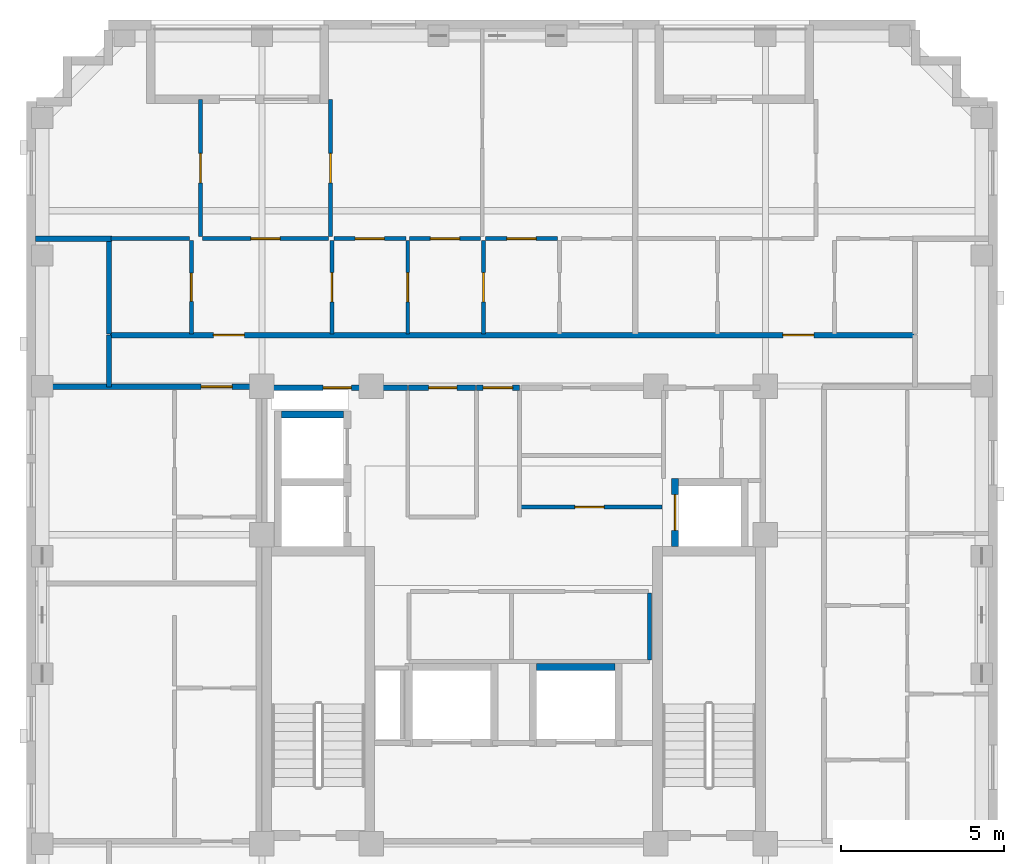
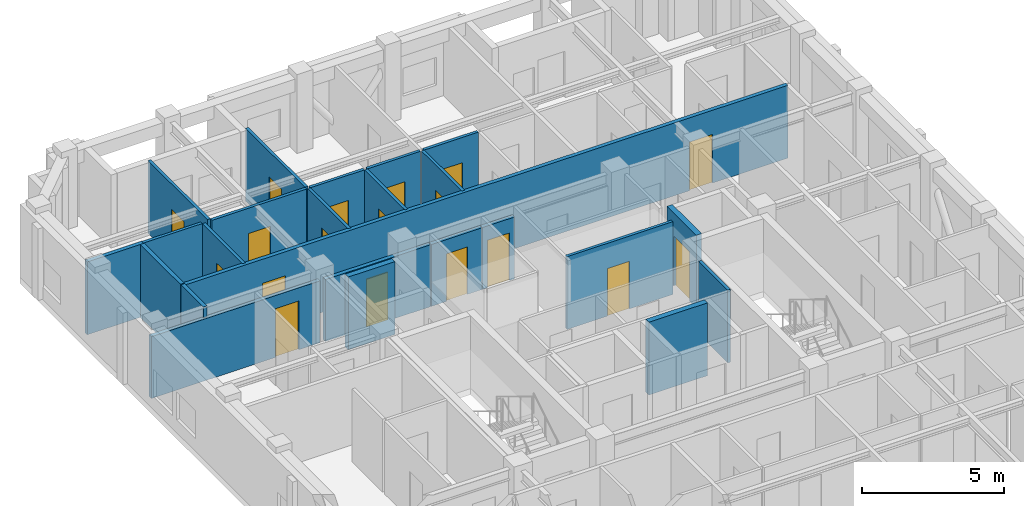
# One storey, part 5 of 11: 24 walls, 18 doors, 18 openings.
"""IFC4 building model written with IfcOpenShell, lengths in metres."""

import ifcopenshell
import ifcopenshell.guid

model = None  # the IFC model being written
_history = None  # IfcOwnerHistory: only IFC2X3 demands one
_inside = {}  # id of a spatial element -> (the spatial element, [elements in it])
_under = {}  # id of a project, library or spatial element -> (it, [spatial elements below it])
_declared = {}  # id of a project -> (the project, [libraries it declares])
_typed = {}  # id of a type object -> (the type object, [elements of that type])
_made_of = {}  # id of a material, layer set ... -> (it, [elements and type objects made of it])


def new_model(schema):
    """Start an empty IFC model of exactly this schema.

    Asked for "IFC4X3", IfcOpenShell would pick the latest addendum, in which some entities
    have other attributes; the version numbers below select the first issue.
    IFC2X3 requires an IfcOwnerHistory on every rooted entity: one is made here for all.
    """
    global model, _history
    if schema == "IFC4X3":
        model = ifcopenshell.file(schema_version=(4, 3, 0, 0))
    else:
        model = ifcopenshell.file(schema=schema)
    _inside.clear()
    _under.clear()
    _declared.clear()
    _typed.clear()
    _made_of.clear()
    _history = None
    if model.schema == "IFC2X3":
        org = make("IfcOrganization", Name="unknown")
        user = make(
            "IfcPersonAndOrganization",
            ThePerson=make("IfcPerson", FamilyName="unknown"),
            TheOrganization=org,
        )
        app = make(
            "IfcApplication",
            ApplicationDeveloper=org,
            Version="unknown",
            ApplicationFullName="unknown",
            ApplicationIdentifier="unknown",
        )
        _history = make(
            "IfcOwnerHistory",
            OwningUser=user,
            OwningApplication=app,
            ChangeAction="ADDED",
            CreationDate=0,
        )
    return model


def make(cls, **values):
    """One entity of the class cls with the attributes given. An attribute that is None is left unset."""
    return model.create_entity(
        cls, **{name: value for name, value in values.items() if value is not None}
    )


def rooted(cls, **values):
    """An entity with a GlobalId (a new one), such as an element, a storey or a relation."""
    return make(cls, GlobalId=ifcopenshell.guid.new(), OwnerHistory=_history, **values)


def si_unit(unit_type, name, prefix=None):
    """IfcSIUnit, for example si_unit("LENGTHUNIT", "METRE", prefix="MILLI")."""
    return make("IfcSIUnit", UnitType=unit_type, Prefix=prefix, Name=name)


def derived_unit(unit_type, elements):
    """IfcDerivedUnit: a product of units, each with its exponent."""
    return make(
        "IfcDerivedUnit",
        Elements=[
            make("IfcDerivedUnitElement", Unit=unit, Exponent=power)
            for unit, power in elements
        ],
        UnitType=unit_type,
    )


def assignment(units):
    """IfcUnitAssignment: the units of a project."""
    return None if units is None else make("IfcUnitAssignment", Units=units)


def point(xyz):
    """IfcCartesianPoint."""
    return None if xyz is None else make("IfcCartesianPoint", Coordinates=xyz)


def direction(xyz):
    """IfcDirection."""
    return None if xyz is None else make("IfcDirection", DirectionRatios=xyz)


def frame(location, z_axis=None, x_axis=None):
    """IfcAxis2Placement3D, a coordinate frame: its origin and axes. An axis left out is left unset."""
    return make(
        "IfcAxis2Placement3D",
        Location=point(location),
        Axis=direction(z_axis),
        RefDirection=direction(x_axis),
    )


def frame_2d(location, x_axis=None):
    """IfcAxis2Placement2D, a coordinate frame in the plane: its origin and x axis."""
    return make(
        "IfcAxis2Placement2D", Location=point(location), RefDirection=direction(x_axis)
    )


def origin():
    """The frame at (0, 0, 0) with its axes left unset."""
    return frame((0.0, 0.0, 0.0))


def place(relative_to, where):
    """IfcLocalPlacement: puts the frame where relative to a parent placement (None: the world)."""
    return make(
        "IfcLocalPlacement", PlacementRelTo=relative_to, RelativePlacement=where
    )


def context(
    kind, dimensions, precision=None, world=None, true_north=None, identifier=None
):
    """IfcGeometricRepresentationContext, for example the 3D "Model" context."""
    return make(
        "IfcGeometricRepresentationContext",
        ContextIdentifier=identifier,
        ContextType=kind,
        CoordinateSpaceDimension=dimensions,
        Precision=precision,
        WorldCoordinateSystem=world,
        TrueNorth=true_north,
    )


def subcontext(parent, identifier, kind, view, scale=None):
    """IfcGeometricRepresentationSubContext, for example "Body" below "Model"."""
    return make(
        "IfcGeometricRepresentationSubContext",
        ContextIdentifier=identifier,
        ContextType=kind,
        ParentContext=parent,
        TargetScale=scale,
        TargetView=view,
    )


def project(units=None, contexts=None):
    """IfcProject with its units and contexts."""
    return rooted(
        "IfcProject",
        Name="project",
        RepresentationContexts=contexts,
        UnitsInContext=assignment(units),
    )


def spatial(cls, under=None, at=None, **own):
    """A site, building, storey or space (cls), placed at a placement, below another one or the project."""
    s = rooted(cls, ObjectPlacement=at, **own)
    if under is not None:
        _under.setdefault(under.id(), (under, []))[1].append(s)
    return s


def profile(cls, at=None, kind="AREA", **sizes):
    """A parametric profile (cls). Its sizes go by their IFC names, for example OverallWidth=200.0."""
    return make(cls, ProfileType=kind, Position=at, **sizes)


def rectangle(**sizes):
    """IfcRectangleProfileDef."""
    return profile("IfcRectangleProfileDef", **sizes)


def extrude(swept, where, along, depth):
    """IfcExtrudedAreaSolid: the profile swept, set in the frame where, extruded along a direction by depth."""
    return make(
        "IfcExtrudedAreaSolid",
        SweptArea=swept,
        Position=where,
        ExtrudedDirection=direction(along),
        Depth=depth,
    )


def shape(context_of_items, identifier, shape_type, items):
    """IfcShapeRepresentation: the items that make up one representation, for example the "Body"."""
    return make(
        "IfcShapeRepresentation",
        ContextOfItems=context_of_items,
        RepresentationIdentifier=identifier,
        RepresentationType=shape_type,
        Items=items,
    )


def material(Name=None, Category=None):
    """IfcMaterial."""
    return make("IfcMaterial", Name=Name, Category=Category)


def layer(
    of_material, thickness, ventilated=None, Name=None, Category=None, Priority=None
):
    """IfcMaterialLayer: one layer of a wall or slab, of a material (None: an air gap)."""
    return make(
        "IfcMaterialLayer",
        Material=of_material,
        LayerThickness=thickness,
        IsVentilated=ventilated,
        Name=Name,
        Category=Category,
        Priority=Priority,
    )


def layer_set(layers, Name=None):
    """IfcMaterialLayerSet."""
    return make("IfcMaterialLayerSet", MaterialLayers=layers, LayerSetName=Name)


def made_of(thing, what):
    """Note that an element or type object is made of a material, layer set ...; save() writes the relation."""
    if what is not None:
        _made_of.setdefault(what.id(), (what, []))[1].append(thing)
    return thing


def type_object(cls, material=None, **own):
    """A type object (cls), such as IfcWallType, which elements share."""
    return made_of(rooted(cls, **own), material)


def element(
    cls,
    number,
    at=None,
    inside=None,
    cuts=None,
    type_object=None,
    material=None,
    context=None,
    identifier="Body",
    shape_type=None,
    held_by="IfcProductDefinitionShape",
    body=None,
    shapes=None,
    **own,
):
    """One element of the class cls, such as IfcWall. Its Tag is "e" and its number.

    at: its placement. inside: the storey or other place that contains it. cuts: it is an
    opening in that element (IfcRelVoidsElement). A single representation is given by context,
    identifier, shape_type and body (its items); several are given by shapes. held_by: the class
    of the entity that holds the representations. save() writes the other relations.
    """
    e = rooted(cls, Tag="e%d" % number, ObjectPlacement=at, **own)
    if body is not None:
        shapes = [shape(context, identifier, shape_type, body)]
    if shapes is not None:
        e.Representation = make(held_by, Representations=shapes)
    if inside is not None:
        _inside.setdefault(inside.id(), (inside, []))[1].append(e)
    if cuts is not None:
        rooted(
            "IfcRelVoidsElement", RelatingBuildingElement=cuts, RelatedOpeningElement=e
        )
    if type_object is not None:
        _typed.setdefault(type_object.id(), (type_object, []))[1].append(e)
    return made_of(e, material)


def fill(opening, filler):
    """IfcRelFillsElement: the door or window that sits in an opening."""
    return rooted(
        "IfcRelFillsElement",
        RelatingOpeningElement=opening,
        RelatedBuildingElement=filler,
    )


def aggregate(whole, parts):
    """IfcRelAggregates: a whole, such as a stair, and the parts it consists of."""
    return rooted("IfcRelAggregates", RelatingObject=whole, RelatedObjects=parts)


def save(model, path):
    """Write the relations noted so far, then the file.

    IfcRelAggregates (storeys below a building ...), IfcRelContainedInSpatialStructure (elements
    in a storey), IfcRelDefinesByType, IfcRelAssociatesMaterial and IfcRelDeclares: one each for
    every whole, place, type object, material and project.
    """
    for whole, parts in _under.values():
        aggregate(whole, parts)
    for where, things in _inside.values():
        rooted(
            "IfcRelContainedInSpatialStructure",
            RelatedElements=things,
            RelatingStructure=where,
        )
    for kind, things in _typed.values():
        rooted("IfcRelDefinesByType", RelatedObjects=things, RelatingType=kind)
    for what, things in _made_of.values():
        rooted("IfcRelAssociatesMaterial", RelatedObjects=things, RelatingMaterial=what)
    for by, libraries in _declared.values():
        rooted("IfcRelDeclares", RelatingContext=by, RelatedDefinitions=libraries)
    model.write(path)


model = new_model("IFC4")

# Units and contexts
model_context = context("Model", 3, precision=1e-05, world=origin(), true_north=direction((0.0, 1.0)))
body_context = subcontext(model_context, "Body", "Model", "MODEL_VIEW")
ifc_project = project(units=[si_unit("LENGTHUNIT", "METRE"), si_unit("AREAUNIT", "SQUARE_METRE"), si_unit("VOLUMEUNIT", "CUBIC_METRE"), si_unit("PLANEANGLEUNIT", "RADIAN"), si_unit("MASSUNIT", "GRAM", prefix="KILO"), derived_unit("THERMALTRANSMITTANCEUNIT", [(si_unit("MASSUNIT", "GRAM", prefix="KILO"), 1), (si_unit("TIMEUNIT", "SECOND"), -3), (si_unit("THERMODYNAMICTEMPERATUREUNIT", "KELVIN"), -1)])], contexts=[model_context])

# Site, building, storey
site_placement = place(None, origin())
site = spatial("IfcSite", under=ifc_project, at=site_placement, CompositionType="ELEMENT")
building_placement = place(site_placement, origin())
building = spatial("IfcBuilding", under=site, at=building_placement, Name="Korrvale Station Residences", CompositionType="ELEMENT")
storey_placement = place(building_placement, frame((0.0, 0.0, 251.300048828125)))
storey = spatial("IfcBuildingStorey", under=building, at=storey_placement, Name="L73", CompositionType="ELEMENT", Elevation=251.300048828125)

# Wall, opening, door
ifc_material_1 = material(Name="Acoustic steel-stud gypsum board partition", Category="steel")
ifc_layer_1 = layer(ifc_material_1, 0.1201171875, Name="Acoustic steel-stud gypsum board partition")
ifc_layer_set_1 = layer_set([ifc_layer_1], Name="Acoustic steel-stud gypsum board partition")
wall_type_1 = type_object("IfcWallType", Name="WAL-PART-125", PredefinedType="PARTITIONING", material=ifc_layer_set_1)
wall_1_placement = place(storey_placement, frame((25.719970703125, 25.300048828125, 0.0), z_axis=(0.0, 0.0, 1.0), x_axis=(1.0, 0.0, 0.0)))
wall_1 = element("IfcWall", 1, at=wall_1_placement, inside=storey, type_object=wall_type_1, Name="L73 Core Partition CW-FPLE-S", PredefinedType="PARTITIONING", context=body_context, shape_type="SweptSolid", body=[
    extrude(rectangle(XDim=4.320068359375, YDim=0.1201171875, at=frame_2d((2.16015625, 0.0))), origin(), (0.0, 0.0, 1.0), 3.139892578125),
])
opening_1_placement = place(wall_1_placement, frame((1.64990234375, 0.0, 0.0)))
opening_1 = element("IfcOpeningElement", 2, at=opening_1_placement, cuts=wall_1, Name="Opening DI-900", PredefinedType="OPENING", context=body_context, shape_type="SweptSolid", body=[
    extrude(rectangle(XDim=0.89990234375, YDim=2.050048828125, at=frame_2d((0.449951171875, 1.02490234375))), frame((0.0, 0.070068359375, 0.0), z_axis=(0.0, -1.0, 0.0), x_axis=(1.0, 0.0, 0.0)), (0.0, 0.0, 1.0), 0.14013671875),
])
ifc_material_2 = material(Name="Painted solid-core timber interior room door", Category="wood")
door_type_1 = type_object("IfcDoorType", Name="DR-INT-900", OperationType="NOTDEFINED", PredefinedType="DOOR", material=ifc_material_2)
door_1_placement = place(opening_1_placement, origin())
door_1 = element("IfcDoor", 3, at=door_1_placement, inside=storey, type_object=door_type_1, Name="L73 Housekeeping Linen Door", OperationType="SINGLE_SWING_LEFT", OverallHeight=2.050048828125, OverallWidth=0.89990234375, PredefinedType="DOOR", context=body_context, shape_type="SweptSolid", body=[
    extrude(rectangle(XDim=0.89990234375, YDim=2.050048828125, at=frame_2d((0.449951171875, 1.02490234375))), frame((0.0, 0.02490234375, 0.0), z_axis=(0.0, -1.0, 0.0), x_axis=(1.0, 0.0, 0.0)), (0.0, 0.0, 1.0), 0.050048828125),
])
fill(opening_1, door_1)

# Wall
wall_2_placement = place(storey_placement, frame((29.659912109375, 20.6201171875, 0.0), z_axis=(0.0, 0.0, 1.0), x_axis=(0.0, 1.0, 0.0)))
element("IfcWall", 4, at=wall_2_placement, inside=storey, type_object=wall_type_1, Name="L73 Core Partition CW-FPM-E", PredefinedType="PARTITIONING", context=body_context, shape_type="SweptSolid", body=[
    extrude(rectangle(XDim=2.059814453125, YDim=0.1201171875, at=frame_2d((1.02978515625, 0.0))), origin(), (0.0, 0.0, 1.0), 3.139892578125),
])

# Wall, opening, door
wall_3_placement = place(storey_placement, frame((15.639892578125, 30.60009765625, 0.0), z_axis=(0.0, 0.0, 1.0), x_axis=(0.0, 1.0, 0.0)))
wall_3 = element("IfcWall", 5, at=wall_3_placement, inside=storey, type_object=wall_type_1, Name="L73 Suite Partition U04-V01", PredefinedType="PARTITIONING", context=body_context, shape_type="SweptSolid", body=[
    extrude(rectangle(XDim=2.849853515625, YDim=0.1201171875, at=frame_2d((1.4248046875, 0.0))), origin(), (0.0, 0.0, 1.0), 3.139892578125),
])
opening_2_placement = place(wall_3_placement, frame((0.9951171875, 0.0, 0.0)))
opening_2 = element("IfcOpeningElement", 6, at=opening_2_placement, cuts=wall_3, Name="Opening DB-860", PredefinedType="OPENING", context=body_context, shape_type="SweptSolid", body=[
    extrude(rectangle(XDim=0.860107421875, YDim=2.050048828125, at=frame_2d((0.43017578125, 1.02490234375))), frame((0.0, 0.070068359375, 0.0), z_axis=(0.0, -1.0, 0.0), x_axis=(1.0, 0.0, 0.0)), (0.0, 0.0, 1.0), 0.14013671875),
])
ifc_material_3 = material(Name="Moisture-resistant solid-core bathroom door", Category="timber")
door_type_2 = type_object("IfcDoorType", Name="DR-BATH-860", OperationType="NOTDEFINED", PredefinedType="DOOR", material=ifc_material_3)
door_2_placement = place(opening_2_placement, origin())
door_2 = element("IfcDoor", 7, at=door_2_placement, inside=storey, type_object=door_type_2, Name="L73 Apartment 2BR L73-U04 Bathroom Door", OperationType="SINGLE_SWING_RIGHT", OverallHeight=2.050048828125, OverallWidth=0.860107421875, PredefinedType="DOOR", context=body_context, shape_type="SweptSolid", body=[
    extrude(rectangle(XDim=0.860107421875, YDim=2.050048828125, at=frame_2d((0.43017578125, 1.02490234375))), frame((0.0, 0.02490234375, 0.0), z_axis=(0.0, -1.0, 0.0), x_axis=(1.0, 0.0, 0.0)), (0.0, 0.0, 1.0), 0.050048828125),
])
fill(opening_2, door_2)

# Wall
wall_4_placement = place(storey_placement, frame((13.179931640625, 33.510009765625, 0.0), z_axis=(0.0, 0.0, 1.0), x_axis=(1.0, 0.0, 0.0)))
element("IfcWall", 8, at=wall_4_placement, inside=storey, type_object=wall_type_1, Name="L73 Suite Partition U04-H06", PredefinedType="PARTITIONING", context=body_context, shape_type="SweptSolid", body=[
    extrude(rectangle(XDim=2.400146484375, YDim=0.1201171875, at=frame_2d((1.2001953125, 0.0))), origin(), (0.0, 0.0, 1.0), 3.139892578125),
])

# Wall, opening, door
wall_5_placement = place(storey_placement, frame((19.93994140625, 30.60009765625, 0.0), z_axis=(0.0, 0.0, 1.0), x_axis=(0.0, 1.0, 0.0)))
wall_5 = element("IfcWall", 9, at=wall_5_placement, inside=storey, type_object=wall_type_1, Name="L73 Suite Partition U04-V12", PredefinedType="PARTITIONING", context=body_context, shape_type="SweptSolid", body=[
    extrude(rectangle(XDim=2.849853515625, YDim=0.1201171875, at=frame_2d((1.4248046875, 0.0))), origin(), (0.0, 0.0, 1.0), 3.139892578125),
])
opening_3_placement = place(wall_5_placement, frame((0.97509765625, 0.0, 0.0)))
opening_3 = element("IfcOpeningElement", 10, at=opening_3_placement, cuts=wall_5, Name="Opening DI-900", PredefinedType="OPENING", context=body_context, shape_type="SweptSolid", body=[
    extrude(rectangle(XDim=0.89990234375, YDim=2.050048828125, at=frame_2d((0.449951171875, 1.02490234375))), frame((0.0, 0.070068359375, 0.0), z_axis=(0.0, -1.0, 0.0), x_axis=(1.0, 0.0, 0.0)), (0.0, 0.0, 1.0), 0.14013671875),
])
door_3_placement = place(opening_3_placement, origin())
door_3 = element("IfcDoor", 11, at=door_3_placement, inside=storey, type_object=door_type_1, Name="L73 Apartment 2BR L73-U04 Kitchen Door", OperationType="SINGLE_SWING_LEFT", OverallHeight=2.050048828125, OverallWidth=0.89990234375, PredefinedType="DOOR", context=body_context, shape_type="SweptSolid", body=[
    extrude(rectangle(XDim=0.89990234375, YDim=2.050048828125, at=frame_2d((0.449951171875, 1.02490234375))), frame((0.0, 0.02490234375, 0.0), z_axis=(0.0, -1.0, 0.0), x_axis=(1.0, 0.0, 0.0)), (0.0, 0.0, 1.0), 0.050048828125),
])
fill(opening_3, door_3)

wall_6_placement = place(storey_placement, frame((15.97802734375, 33.510009765625, 0.0), z_axis=(0.0, 0.0, 1.0), x_axis=(1.0, 0.0, 0.0)))
wall_6 = element("IfcWall", 12, at=wall_6_placement, inside=storey, type_object=wall_type_1, Name="L73 Suite Partition U04-H17", PredefinedType="PARTITIONING", context=body_context, shape_type="SweptSolid", body=[
    extrude(rectangle(XDim=3.862060546875, YDim=0.1201171875, at=frame_2d((1.93115234375, 0.0))), origin(), (0.0, 0.0, 1.0), 3.139892578125),
])
opening_4_placement = place(wall_6_placement, frame((1.48095703125, 0.0, 0.0)))
opening_4 = element("IfcOpeningElement", 13, at=opening_4_placement, cuts=wall_6, Name="Opening DI-900", PredefinedType="OPENING", context=body_context, shape_type="SweptSolid", body=[
    extrude(rectangle(XDim=0.89990234375, YDim=2.050048828125, at=frame_2d((0.449951171875, 1.02490234375))), frame((0.0, 0.070068359375, 0.0), z_axis=(0.0, -1.0, 0.0), x_axis=(1.0, 0.0, 0.0)), (0.0, 0.0, 1.0), 0.14013671875),
])
door_4_placement = place(opening_4_placement, origin())
door_4 = element("IfcDoor", 14, at=door_4_placement, inside=storey, type_object=door_type_1, Name="L73 Apartment 2BR L73-U04 Kitchen Door", OperationType="SINGLE_SWING_RIGHT", OverallHeight=2.050048828125, OverallWidth=0.89990234375, PredefinedType="DOOR", context=body_context, shape_type="SweptSolid", body=[
    extrude(rectangle(XDim=0.89990234375, YDim=2.050048828125, at=frame_2d((0.449951171875, 1.02490234375))), frame((0.0, 0.02490234375, 0.0), z_axis=(0.0, -1.0, 0.0), x_axis=(1.0, 0.0, 0.0)), (0.0, 0.0, 1.0), 0.050048828125),
])
fill(opening_4, door_4)

wall_7_placement = place(storey_placement, frame((22.260009765625, 30.60009765625, 0.0), z_axis=(0.0, 0.0, 1.0), x_axis=(0.0, 1.0, 0.0)))
wall_7 = element("IfcWall", 15, at=wall_7_placement, inside=storey, type_object=wall_type_1, Name="L73 Suite Partition U04-V23", PredefinedType="PARTITIONING", context=body_context, shape_type="SweptSolid", body=[
    extrude(rectangle(XDim=2.849853515625, YDim=0.1201171875, at=frame_2d((1.4248046875, 0.0))), origin(), (0.0, 0.0, 1.0), 3.139892578125),
])
opening_5_placement = place(wall_7_placement, frame((0.97509765625, 0.0, 0.0)))
opening_5 = element("IfcOpeningElement", 16, at=opening_5_placement, cuts=wall_7, Name="Opening DI-900", PredefinedType="OPENING", context=body_context, shape_type="SweptSolid", body=[
    extrude(rectangle(XDim=0.89990234375, YDim=2.050048828125, at=frame_2d((0.449951171875, 1.02490234375))), frame((0.0, 0.070068359375, 0.0), z_axis=(0.0, -1.0, 0.0), x_axis=(1.0, 0.0, 0.0)), (0.0, 0.0, 1.0), 0.14013671875),
])
door_5_placement = place(opening_5_placement, origin())
door_5 = element("IfcDoor", 17, at=door_5_placement, inside=storey, type_object=door_type_1, Name="L73 Apartment 2BR L73-U04 Wardrobe Storage Room Door", OperationType="SINGLE_SWING_LEFT", OverallHeight=2.050048828125, OverallWidth=0.89990234375, PredefinedType="DOOR", context=body_context, shape_type="SweptSolid", body=[
    extrude(rectangle(XDim=0.89990234375, YDim=2.050048828125, at=frame_2d((0.449951171875, 1.02490234375))), frame((0.0, 0.02490234375, 0.0), z_axis=(0.0, -1.0, 0.0), x_axis=(1.0, 0.0, 0.0)), (0.0, 0.0, 1.0), 0.050048828125),
])
fill(opening_5, door_5)

wall_8_placement = place(storey_placement, frame((20.0, 33.510009765625, 0.0), z_axis=(0.0, 0.0, 1.0), x_axis=(1.0, 0.0, 0.0)))
wall_8 = element("IfcWall", 18, at=wall_8_placement, inside=storey, type_object=wall_type_1, Name="L73 Suite Partition U04-H28", PredefinedType="PARTITIONING", context=body_context, shape_type="SweptSolid", body=[
    extrude(rectangle(XDim=2.199951171875, YDim=0.1201171875, at=frame_2d((1.10009765625, 0.0))), origin(), (0.0, 0.0, 1.0), 3.139892578125),
])
opening_6_placement = place(wall_8_placement, frame((0.64990234375, 0.0, 0.0)))
opening_6 = element("IfcOpeningElement", 19, at=opening_6_placement, cuts=wall_8, Name="Opening DI-900", PredefinedType="OPENING", context=body_context, shape_type="SweptSolid", body=[
    extrude(rectangle(XDim=0.89990234375, YDim=2.050048828125, at=frame_2d((0.449951171875, 1.02490234375))), frame((0.0, 0.070068359375, 0.0), z_axis=(0.0, -1.0, 0.0), x_axis=(1.0, 0.0, 0.0)), (0.0, 0.0, 1.0), 0.14013671875),
])
door_6_placement = place(opening_6_placement, origin())
door_6 = element("IfcDoor", 20, at=door_6_placement, inside=storey, type_object=door_type_1, Name="L73 Apartment 2BR L73-U04 Wardrobe Storage Room Door", OperationType="SINGLE_SWING_RIGHT", OverallHeight=2.050048828125, OverallWidth=0.89990234375, PredefinedType="DOOR", context=body_context, shape_type="SweptSolid", body=[
    extrude(rectangle(XDim=0.89990234375, YDim=2.050048828125, at=frame_2d((0.449951171875, 1.02490234375))), frame((0.0, 0.02490234375, 0.0), z_axis=(0.0, -1.0, 0.0), x_axis=(1.0, 0.0, 0.0)), (0.0, 0.0, 1.0), 0.050048828125),
])
fill(opening_6, door_6)

wall_9_placement = place(storey_placement, frame((24.580078125, 30.60009765625, 0.0), z_axis=(0.0, 0.0, 1.0), x_axis=(0.0, 1.0, 0.0)))
wall_9 = element("IfcWall", 21, at=wall_9_placement, inside=storey, type_object=wall_type_1, Name="L73 Suite Partition U04-V34", PredefinedType="PARTITIONING", context=body_context, shape_type="SweptSolid", body=[
    extrude(rectangle(XDim=2.849853515625, YDim=0.1201171875, at=frame_2d((1.4248046875, 0.0))), origin(), (0.0, 0.0, 1.0), 3.139892578125),
])
opening_7_placement = place(wall_9_placement, frame((0.97509765625, 0.0, 0.0)))
opening_7 = element("IfcOpeningElement", 22, at=opening_7_placement, cuts=wall_9, Name="Opening DI-900", PredefinedType="OPENING", context=body_context, shape_type="SweptSolid", body=[
    extrude(rectangle(XDim=0.89990234375, YDim=2.050048828125, at=frame_2d((0.449951171875, 1.02490234375))), frame((0.0, 0.070068359375, 0.0), z_axis=(0.0, -1.0, 0.0), x_axis=(1.0, 0.0, 0.0)), (0.0, 0.0, 1.0), 0.14013671875),
])
door_7_placement = place(opening_7_placement, origin())
door_7 = element("IfcDoor", 23, at=door_7_placement, inside=storey, type_object=door_type_1, Name="L73 Apartment 2BR L73-U04 Wardrobe Storage Room Door", OperationType="SINGLE_SWING_LEFT", OverallHeight=2.050048828125, OverallWidth=0.89990234375, PredefinedType="DOOR", context=body_context, shape_type="SweptSolid", body=[
    extrude(rectangle(XDim=0.89990234375, YDim=2.050048828125, at=frame_2d((0.449951171875, 1.02490234375))), frame((0.0, 0.02490234375, 0.0), z_axis=(0.0, -1.0, 0.0), x_axis=(1.0, 0.0, 0.0)), (0.0, 0.0, 1.0), 0.050048828125),
])
fill(opening_7, door_7)

wall_10_placement = place(storey_placement, frame((22.320068359375, 33.510009765625, 0.0), z_axis=(0.0, 0.0, 1.0), x_axis=(1.0, 0.0, 0.0)))
wall_10 = element("IfcWall", 24, at=wall_10_placement, inside=storey, type_object=wall_type_1, Name="L73 Suite Partition U04-H38", PredefinedType="PARTITIONING", context=body_context, shape_type="SweptSolid", body=[
    extrude(rectangle(XDim=2.159912109375, YDim=0.1201171875, at=frame_2d((1.080078125, 0.0))), origin(), (0.0, 0.0, 1.0), 3.139892578125),
])
opening_8_placement = place(wall_10_placement, frame((0.6298828125, 0.0, 0.0)))
opening_8 = element("IfcOpeningElement", 25, at=opening_8_placement, cuts=wall_10, Name="Opening DI-900", PredefinedType="OPENING", context=body_context, shape_type="SweptSolid", body=[
    extrude(rectangle(XDim=0.89990234375, YDim=2.050048828125, at=frame_2d((0.449951171875, 1.02490234375))), frame((0.0, 0.070068359375, 0.0), z_axis=(0.0, -1.0, 0.0), x_axis=(1.0, 0.0, 0.0)), (0.0, 0.0, 1.0), 0.14013671875),
])
door_8_placement = place(opening_8_placement, origin())
door_8 = element("IfcDoor", 26, at=door_8_placement, inside=storey, type_object=door_type_1, Name="L73 Apartment 2BR L73-U04 Wardrobe Storage Room Door", OperationType="SINGLE_SWING_RIGHT", OverallHeight=2.050048828125, OverallWidth=0.89990234375, PredefinedType="DOOR", context=body_context, shape_type="SweptSolid", body=[
    extrude(rectangle(XDim=0.89990234375, YDim=2.050048828125, at=frame_2d((0.449951171875, 1.02490234375))), frame((0.0, 0.02490234375, 0.0), z_axis=(0.0, -1.0, 0.0), x_axis=(1.0, 0.0, 0.0)), (0.0, 0.0, 1.0), 0.050048828125),
])
fill(opening_8, door_8)

wall_11_placement = place(storey_placement, frame((24.639892578125, 33.510009765625, 0.0), z_axis=(0.0, 0.0, 1.0), x_axis=(1.0, 0.0, 0.0)))
wall_11 = element("IfcWall", 27, at=wall_11_placement, inside=storey, type_object=wall_type_1, Name="L73 Suite Partition U04-H49", PredefinedType="PARTITIONING", context=body_context, shape_type="SweptSolid", body=[
    extrude(rectangle(XDim=2.2001953125, YDim=0.1201171875, at=frame_2d((1.10009765625, 0.0))), origin(), (0.0, 0.0, 1.0), 3.139892578125),
])
opening_9_placement = place(wall_11_placement, frame((0.64990234375, 0.0, 0.0)))
opening_9 = element("IfcOpeningElement", 28, at=opening_9_placement, cuts=wall_11, Name="Opening DI-900", PredefinedType="OPENING", context=body_context, shape_type="SweptSolid", body=[
    extrude(rectangle(XDim=0.89990234375, YDim=2.050048828125, at=frame_2d((0.449951171875, 1.02490234375))), frame((0.0, 0.070068359375, 0.0), z_axis=(0.0, -1.0, 0.0), x_axis=(1.0, 0.0, 0.0)), (0.0, 0.0, 1.0), 0.14013671875),
])
door_9_placement = place(opening_9_placement, origin())
door_9 = element("IfcDoor", 29, at=door_9_placement, inside=storey, type_object=door_type_1, Name="L73 Apartment 2BR L73-U04 Wardrobe Storage Room Door", OperationType="SINGLE_SWING_RIGHT", OverallHeight=2.050048828125, OverallWidth=0.89990234375, PredefinedType="DOOR", context=body_context, shape_type="SweptSolid", body=[
    extrude(rectangle(XDim=0.89990234375, YDim=2.050048828125, at=frame_2d((0.449951171875, 1.02490234375))), frame((0.0, 0.02490234375, 0.0), z_axis=(0.0, -1.0, 0.0), x_axis=(1.0, 0.0, 0.0)), (0.0, 0.0, 1.0), 0.050048828125),
])
fill(opening_9, door_9)

wall_12_placement = place(storey_placement, frame((15.91796875, 33.570068359375, 0.0), z_axis=(0.0, 0.0, 1.0), x_axis=(0.0, 1.0, 0.0)))
wall_12 = element("IfcWall", 30, at=wall_12_placement, inside=storey, type_object=wall_type_1, Name="L73 Suite Partition U04-V67", PredefinedType="PARTITIONING", context=body_context, shape_type="SweptSolid", body=[
    extrude(rectangle(XDim=4.199951171875, YDim=0.1201171875, at=frame_2d((2.10009765625, 0.0))), origin(), (0.0, 0.0, 1.0), 3.139892578125),
])
opening_10_placement = place(wall_12_placement, frame((1.64990234375, 0.0, 0.0)))
opening_10 = element("IfcOpeningElement", 31, at=opening_10_placement, cuts=wall_12, Name="Opening DI-900", PredefinedType="OPENING", context=body_context, shape_type="SweptSolid", body=[
    extrude(rectangle(XDim=0.89990234375, YDim=2.050048828125, at=frame_2d((0.449951171875, 1.02490234375))), frame((0.0, 0.070068359375, 0.0), z_axis=(0.0, -1.0, 0.0), x_axis=(1.0, 0.0, 0.0)), (0.0, 0.0, 1.0), 0.14013671875),
])
door_10_placement = place(opening_10_placement, origin())
door_10 = element("IfcDoor", 32, at=door_10_placement, inside=storey, type_object=door_type_1, Name="L73 Apartment 2BR L73-U04 Living and Dining Room Door", OperationType="SINGLE_SWING_RIGHT", OverallHeight=2.050048828125, OverallWidth=0.89990234375, PredefinedType="DOOR", context=body_context, shape_type="SweptSolid", body=[
    extrude(rectangle(XDim=0.89990234375, YDim=2.050048828125, at=frame_2d((0.449951171875, 1.02490234375))), frame((0.0, 0.02490234375, 0.0), z_axis=(0.0, -1.0, 0.0), x_axis=(1.0, 0.0, 0.0)), (0.0, 0.0, 1.0), 0.050048828125),
])
fill(opening_10, door_10)

wall_13_placement = place(storey_placement, frame((19.89990234375, 33.570068359375, 0.0), z_axis=(0.0, 0.0, 1.0), x_axis=(0.0, 1.0, 0.0)))
wall_13 = element("IfcWall", 33, at=wall_13_placement, inside=storey, type_object=wall_type_1, Name="L73 Suite Partition U04-V78", PredefinedType="PARTITIONING", context=body_context, shape_type="SweptSolid", body=[
    extrude(rectangle(XDim=4.199951171875, YDim=0.1201171875, at=frame_2d((2.10009765625, 0.0))), origin(), (0.0, 0.0, 1.0), 3.139892578125),
])
opening_11_placement = place(wall_13_placement, frame((1.64990234375, 0.0, 0.0)))
opening_11 = element("IfcOpeningElement", 34, at=opening_11_placement, cuts=wall_13, Name="Opening DI-900", PredefinedType="OPENING", context=body_context, shape_type="SweptSolid", body=[
    extrude(rectangle(XDim=0.89990234375, YDim=2.050048828125, at=frame_2d((0.449951171875, 1.02490234375))), frame((0.0, 0.070068359375, 0.0), z_axis=(0.0, -1.0, 0.0), x_axis=(1.0, 0.0, 0.0)), (0.0, 0.0, 1.0), 0.14013671875),
])
door_11_placement = place(opening_11_placement, origin())
door_11 = element("IfcDoor", 35, at=door_11_placement, inside=storey, type_object=door_type_1, Name="L73 Apartment 2BR L73-U04 Formal Dining Room Door", OperationType="SINGLE_SWING_LEFT", OverallHeight=2.050048828125, OverallWidth=0.89990234375, PredefinedType="DOOR", context=body_context, shape_type="SweptSolid", body=[
    extrude(rectangle(XDim=0.89990234375, YDim=2.050048828125, at=frame_2d((0.449951171875, 1.02490234375))), frame((0.0, 0.02490234375, 0.0), z_axis=(0.0, -1.0, 0.0), x_axis=(1.0, 0.0, 0.0)), (0.0, 0.0, 1.0), 0.050048828125),
])
fill(opening_11, door_11)

ifc_material_4 = material(Name="Fire-rated twin-stud gypsum and mineral wool shaftwall assembly", Category="gypsum")
ifc_layer_2 = layer(ifc_material_4, 0.159912109375, Name="Fire-rated twin-stud gypsum and mineral wool shaftwall assembly")
ifc_layer_set_2 = layer_set([ifc_layer_2], Name="Fire-rated twin-stud gypsum and mineral wool shaftwall assembly")
wall_type_2 = type_object("IfcWallType", Name="WAL-PART-200", PredefinedType="PARTITIONING", material=ifc_layer_set_2)
wall_14_placement = place(storey_placement, frame((24.360107421875, 28.949951171875, 0.0), z_axis=(0.0, 0.0, 1.0), x_axis=(1.0, 0.0, 0.0)))
wall_14 = element("IfcWall", 36, at=wall_14_placement, inside=storey, type_object=wall_type_2, Name="L73 Core Partition CW-LLOB-N", PredefinedType="PARTITIONING", context=body_context, shape_type="SweptSolid", body=[
    extrude(rectangle(XDim=1.31982421875, YDim=0.159912109375, at=frame_2d((0.659912109375, 0.0))), origin(), (0.0, 0.0, 1.0), 2.66796875),
])
opening_12_placement = place(wall_14_placement, frame((0.2099609375, 0.0, 0.0)))
opening_12 = element("IfcOpeningElement", 37, at=opening_12_placement, cuts=wall_14, Name="Opening DI-900", PredefinedType="OPENING", context=body_context, shape_type="SweptSolid", body=[
    extrude(rectangle(XDim=0.89990234375, YDim=2.050048828125, at=frame_2d((0.449951171875, 1.02490234375))), frame((0.0, 0.08984375, 0.0), z_axis=(0.0, -1.0, 0.0), x_axis=(1.0, 0.0, 0.0)), (0.0, 0.0, 1.0), 0.179931640625),
])
door_12_placement = place(opening_12_placement, origin())
door_12 = element("IfcDoor", 38, at=door_12_placement, inside=storey, type_object=door_type_1, Name="L73 Central Hallway North Passage Door", OperationType="SINGLE_SWING_RIGHT", OverallHeight=2.050048828125, OverallWidth=0.89990234375, PredefinedType="DOOR", context=body_context, shape_type="SweptSolid", body=[
    extrude(rectangle(XDim=0.89990234375, YDim=2.050048828125, at=frame_2d((0.449951171875, 1.02490234375))), frame((0.0, 0.02490234375, 0.0), z_axis=(0.0, -1.0, 0.0), x_axis=(1.0, 0.0, 0.0)), (0.0, 0.0, 1.0), 0.050048828125),
])
fill(opening_12, door_12)

wall_15_placement = place(storey_placement, frame((17.9599609375, 28.949951171875, 0.0), z_axis=(0.0, 0.0, 1.0), x_axis=(1.0, 0.0, 0.0)))
wall_15 = element("IfcWall", 39, at=wall_15_placement, inside=storey, type_object=wall_type_2, Name="L73 Core Partition CW-NW", PredefinedType="PARTITIONING", context=body_context, shape_type="SweptSolid", body=[
    extrude(rectangle(XDim=4.2900390625, YDim=0.159912109375, at=frame_2d((2.14501953125, 0.0))), origin(), (0.0, 0.0, 1.0), 2.66796875),
])
opening_13_placement = place(wall_15_placement, frame((1.715087890625, 0.0, 0.0)))
opening_13 = element("IfcOpeningElement", 40, at=opening_13_placement, cuts=wall_15, Name="Opening DB-860", PredefinedType="OPENING", context=body_context, shape_type="SweptSolid", body=[
    extrude(rectangle(XDim=0.860107421875, YDim=2.050048828125, at=frame_2d((0.43017578125, 1.02490234375))), frame((0.0, 0.08984375, 0.0), z_axis=(0.0, -1.0, 0.0), x_axis=(1.0, 0.0, 0.0)), (0.0, 0.0, 1.0), 0.179931640625),
])
door_13_placement = place(opening_13_placement, origin())
door_13 = element("IfcDoor", 41, at=door_13_placement, inside=storey, type_object=door_type_2, Name="L73 Electrical Riser Access Door", OperationType="SINGLE_SWING_LEFT", OverallHeight=2.050048828125, OverallWidth=0.860107421875, PredefinedType="DOOR", context=body_context, shape_type="SweptSolid", body=[
    extrude(rectangle(XDim=0.860107421875, YDim=2.050048828125, at=frame_2d((0.43017578125, 1.02490234375))), frame((0.0, 0.02490234375, 0.0), z_axis=(0.0, -1.0, 0.0), x_axis=(1.0, 0.0, 0.0)), (0.0, 0.0, 1.0), 0.050048828125),
])
fill(opening_13, door_13)

wall_16_placement = place(storey_placement, frame((22.280029296875, 28.949951171875, 0.0), z_axis=(0.0, 0.0, 1.0), x_axis=(1.0, 0.0, 0.0)))
wall_16 = element("IfcWall", 42, at=wall_16_placement, inside=storey, type_object=wall_type_2, Name="L73 Core Partition CW-FPLW-N", PredefinedType="PARTITIONING", context=body_context, shape_type="SweptSolid", body=[
    extrude(rectangle(XDim=2.06005859375, YDim=0.159912109375, at=frame_2d((1.030029296875, 0.0))), origin(), (0.0, 0.0, 1.0), 2.66796875),
])
opening_14_placement = place(wall_16_placement, frame((0.6201171875, 0.0, 0.0)))
opening_14 = element("IfcOpeningElement", 43, at=opening_14_placement, cuts=wall_16, Name="Opening DB-860", PredefinedType="OPENING", context=body_context, shape_type="SweptSolid", body=[
    extrude(rectangle(XDim=0.860107421875, YDim=2.050048828125, at=frame_2d((0.43017578125, 1.02490234375))), frame((0.0, 0.08984375, 0.0), z_axis=(0.0, -1.0, 0.0), x_axis=(1.0, 0.0, 0.0)), (0.0, 0.0, 1.0), 0.179931640625),
])
door_14_placement = place(opening_14_placement, origin())
door_14 = element("IfcDoor", 44, at=door_14_placement, inside=storey, type_object=door_type_2, Name="L73 Resident Parcel Room Door", OperationType="SINGLE_SWING_RIGHT", OverallHeight=2.050048828125, OverallWidth=0.860107421875, PredefinedType="DOOR", context=body_context, shape_type="SweptSolid", body=[
    extrude(rectangle(XDim=0.860107421875, YDim=2.050048828125, at=frame_2d((0.43017578125, 1.02490234375))), frame((0.0, 0.02490234375, 0.0), z_axis=(0.0, -1.0, 0.0), x_axis=(1.0, 0.0, 0.0)), (0.0, 0.0, 1.0), 0.050048828125),
])
fill(opening_14, door_14)

# Walls
wall_17_placement = place(storey_placement, frame((13.1201171875, 28.97998046875, 0.0), z_axis=(0.0, 0.0, 1.0), x_axis=(0.0, 1.0, 0.0)))
element("IfcWall", 45, at=wall_17_placement, inside=storey, type_object=wall_type_2, Name="L73 Corridor North West Cap", PredefinedType="PARTITIONING", context=body_context, shape_type="SweptSolid", body=[
    extrude(rectangle(XDim=1.580078125, YDim=0.159912109375, at=frame_2d((0.7900390625, 0.0))), origin(), (0.0, 0.0, 1.0), 3.139892578125),
])
wall_18_placement = place(storey_placement, frame((10.8798828125, 33.510009765625, 0.0), z_axis=(0.0, 0.0, 1.0), x_axis=(1.0, 0.0, 0.0)))
element("IfcWall", 46, at=wall_18_placement, inside=storey, type_object=wall_type_2, Name="L73 Corner Step Wall U04-L", PredefinedType="PARTITIONING", context=body_context, shape_type="SweptSolid", body=[
    extrude(rectangle(XDim=2.340087890625, YDim=0.159912109375, at=frame_2d((1.169921875, 0.0))), origin(), (0.0, 0.0, 1.0), 3.139892578125),
])
wall_19_placement = place(storey_placement, frame((13.1201171875, 30.60009765625, 0.0), z_axis=(0.0, 0.0, 1.0), x_axis=(0.0, 1.0, 0.0)))
element("IfcWall", 47, at=wall_19_placement, inside=storey, type_object=wall_type_2, Name="L73 Corner Step Cheek U04-L", PredefinedType="PARTITIONING", context=body_context, shape_type="SweptSolid", body=[
    extrude(rectangle(XDim=2.909912109375, YDim=0.159912109375, at=frame_2d((1.455078125, 0.0))), origin(), (0.0, 0.0, 1.0), 3.139892578125),
])

# Wall, opening, door
wall_20_placement = place(storey_placement, frame((10.8798828125, 28.97998046875, 0.0), z_axis=(0.0, 0.0, 1.0), x_axis=(1.0, 0.0, 0.0)))
wall_20 = element("IfcWall", 48, at=wall_20_placement, inside=storey, type_object=wall_type_2, Name="L73 Side Suite North Entry Wall U07", PredefinedType="PARTITIONING", context=body_context, shape_type="SweptSolid", body=[
    extrude(rectangle(XDim=6.880126953125, YDim=0.159912109375, at=frame_2d((3.43994140625, 0.0))), origin(), (0.0, 0.0, 1.0), 2.66796875),
])
opening_15_placement = place(wall_20_placement, frame((5.06005859375, 0.0, 0.0)))
opening_15 = element("IfcOpeningElement", 49, at=opening_15_placement, cuts=wall_20, Name="Opening UD-950", PredefinedType="OPENING", context=body_context, shape_type="SweptSolid", body=[
    extrude(rectangle(XDim=0.949951171875, YDim=2.10009765625, at=frame_2d((0.47509765625, 1.050048828125))), frame((0.0, 0.08984375, 0.0), z_axis=(0.0, -1.0, 0.0), x_axis=(1.0, 0.0, 0.0)), (0.0, 0.0, 1.0), 0.179931640625),
])
ifc_material_5 = material(Name="Solid-core acoustic oak apartment entrance door", Category="timber")
door_type_3 = type_object("IfcDoorType", Name="DR-UNIT-950", OperationType="NOTDEFINED", PredefinedType="DOOR", material=ifc_material_5)
door_15_placement = place(opening_15_placement, origin())
door_15 = element("IfcDoor", 50, at=door_15_placement, inside=storey, type_object=door_type_3, Name="L73 Apartment L73-U07 Entrance Door", OperationType="SINGLE_SWING_LEFT", OverallHeight=2.10009765625, OverallWidth=0.949951171875, PredefinedType="DOOR", context=body_context, shape_type="SweptSolid", body=[
    extrude(rectangle(XDim=0.949951171875, YDim=2.10009765625, at=frame_2d((0.47509765625, 1.050048828125))), frame((0.0, 0.02490234375, 0.0), z_axis=(0.0, -1.0, 0.0), x_axis=(1.0, 0.0, 0.0)), (0.0, 0.0, 1.0), 0.050048828125),
])
fill(opening_15, door_15)

# Wall, openings, doors
wall_21_placement = place(storey_placement, frame((13.14990234375, 30.56005859375, 0.0), z_axis=(0.0, 0.0, 1.0), x_axis=(1.0, 0.0, 0.0)))
wall_21 = element("IfcWall", 51, at=wall_21_placement, inside=storey, type_object=wall_type_2, Name="L73 Rated Corridor Wall N", PredefinedType="PARTITIONING", context=body_context, shape_type="SweptSolid", body=[
    extrude(rectangle(XDim=24.60009765625, YDim=0.159912109375, at=frame_2d((12.300048828125, 0.0))), origin(), (0.0, 0.0, 1.0), 3.139892578125),
])
opening_16_placement = place(wall_21_placement, frame((3.1650390625, 0.0, 0.0)))
opening_16 = element("IfcOpeningElement", 52, at=opening_16_placement, cuts=wall_21, Name="Opening UD-950", PredefinedType="OPENING", context=body_context, shape_type="SweptSolid", body=[
    extrude(rectangle(XDim=0.949951171875, YDim=2.10009765625, at=frame_2d((0.47509765625, 1.050048828125))), frame((0.0, 0.08984375, 0.0), z_axis=(0.0, -1.0, 0.0), x_axis=(1.0, 0.0, 0.0)), (0.0, 0.0, 1.0), 0.179931640625),
])
opening_17_placement = place(wall_21_placement, frame((20.5849609375, 0.0, 0.0)))
opening_17 = element("IfcOpeningElement", 53, at=opening_17_placement, cuts=wall_21, Name="Opening UD-950", PredefinedType="OPENING", context=body_context, shape_type="SweptSolid", body=[
    extrude(rectangle(XDim=0.949951171875, YDim=2.10009765625, at=frame_2d((0.47509765625, 1.050048828125))), frame((0.0, 0.08984375, 0.0), z_axis=(0.0, -1.0, 0.0), x_axis=(1.0, 0.0, 0.0)), (0.0, 0.0, 1.0), 0.179931640625),
])
door_16_placement = place(opening_16_placement, origin())
door_16 = element("IfcDoor", 54, at=door_16_placement, inside=storey, type_object=door_type_3, Name="L73 Apartment L73-U04 Entrance Door", OperationType="SINGLE_SWING_LEFT", OverallHeight=2.10009765625, OverallWidth=0.949951171875, PredefinedType="DOOR", context=body_context, shape_type="SweptSolid", body=[
    extrude(rectangle(XDim=0.949951171875, YDim=2.10009765625, at=frame_2d((0.47509765625, 1.050048828125))), frame((0.0, 0.02490234375, 0.0), z_axis=(0.0, -1.0, 0.0), x_axis=(1.0, 0.0, 0.0)), (0.0, 0.0, 1.0), 0.050048828125),
])
fill(opening_16, door_16)
door_17_placement = place(opening_17_placement, origin())
door_17 = element("IfcDoor", 55, at=door_17_placement, inside=storey, type_object=door_type_3, Name="L73 Apartment L73-U05 Entrance Door", OperationType="SINGLE_SWING_RIGHT", OverallHeight=2.10009765625, OverallWidth=0.949951171875, PredefinedType="DOOR", context=body_context, shape_type="SweptSolid", body=[
    extrude(rectangle(XDim=0.949951171875, YDim=2.10009765625, at=frame_2d((0.47509765625, 1.050048828125))), frame((0.0, 0.02490234375, 0.0), z_axis=(0.0, -1.0, 0.0), x_axis=(1.0, 0.0, 0.0)), (0.0, 0.0, 1.0), 0.050048828125),
])
fill(opening_17, door_17)

# Wall
ifc_material_6 = material(Name="Concrete C50/60", Category="concrete")
ifc_layer_3 = layer(ifc_material_6, 0.219970703125, Name="Concrete C50/60")
ifc_layer_set_3 = layer_set([ifc_layer_3], Name="Concrete C50/60")
wall_type_3 = type_object("IfcWallType", Name="WAL-SHAFT-220-C50", PredefinedType="SHEAR", material=ifc_layer_set_3)
wall_22_placement = place(storey_placement, frame((18.39990234375, 28.1298828125, 0.0), z_axis=(0.0, 0.0, 1.0), x_axis=(1.0, 0.0, 0.0)))
element("IfcWall", 56, at=wall_22_placement, inside=storey, type_object=wall_type_3, Name="L73 Elevator PH-2 Hoistway Wall North", PredefinedType="SHEAR", context=body_context, shape_type="SweptSolid", body=[
    extrude(rectangle(XDim=1.900146484375, YDim=0.219970703125, at=frame_2d((0.9501953125, 0.0))), origin(), (0.0, 0.0, 1.0), 3.139892578125),
])

# Wall, opening, door
wall_23_placement = place(storey_placement, frame((30.43994140625, 24.10009765625, 0.0), z_axis=(0.0, 0.0, 1.0), x_axis=(0.0, 1.0, 0.0)))
wall_23 = element("IfcWall", 57, at=wall_23_placement, inside=storey, type_object=wall_type_3, Name="L73 Elevator PH-3 Hoistway Wall West", PredefinedType="SHEAR", context=body_context, shape_type="SweptSolid", body=[
    extrude(rectangle(XDim=2.06982421875, YDim=0.219970703125, at=frame_2d((1.034912109375, 0.0))), origin(), (0.0, 0.0, 1.0), 3.139892578125),
])
opening_18_placement = place(wall_23_placement, frame((0.485107421875, 0.0, 0.0)))
opening_18 = element("IfcOpeningElement", 58, at=opening_18_placement, cuts=wall_23, Name="Opening LD-1100", PredefinedType="OPENING", context=body_context, shape_type="SweptSolid", body=[
    extrude(rectangle(XDim=1.10009765625, YDim=2.14990234375, at=frame_2d((0.550048828125, 1.074951171875))), frame((0.0, 0.1201171875, 0.0), z_axis=(0.0, -1.0, 0.0), x_axis=(1.0, 0.0, 0.0)), (0.0, 0.0, 1.0), 0.239990234375),
])
ifc_material_7 = material(Name="Brushed stainless-steel elevator landing sliding door", Category="steel")
door_type_4 = type_object("IfcDoorType", Name="DR-LIFT-1100", OperationType="SLIDING_TO_LEFT", PredefinedType="DOOR", material=ifc_material_7)
door_18_placement = place(opening_18_placement, origin())
door_18 = element("IfcDoor", 59, at=door_18_placement, inside=storey, type_object=door_type_4, Name="L73 Elevator PH-3 Sliding Landing Door", OperationType="SLIDING_TO_LEFT", OverallHeight=2.14990234375, OverallWidth=1.10009765625, PredefinedType="DOOR", context=body_context, shape_type="SweptSolid", body=[
    extrude(rectangle(XDim=1.10009765625, YDim=2.14990234375, at=frame_2d((0.550048828125, 1.074951171875))), frame((0.0, 0.02490234375, 0.0), z_axis=(0.0, -1.0, 0.0), x_axis=(1.0, 0.0, 0.0)), (0.0, 0.0, 1.0), 0.050048828125),
])
fill(opening_18, door_18)

# Wall
wall_24_placement = place(storey_placement, frame((26.199951171875, 20.409912109375, 0.0), z_axis=(0.0, 0.0, 1.0), x_axis=(1.0, 0.0, 0.0)))
element("IfcWall", 60, at=wall_24_placement, inside=storey, type_object=wall_type_3, Name="L73 Elevator FFL-2 Hoistway Wall North", PredefinedType="SHEAR", context=body_context, shape_type="SweptSolid", body=[
    extrude(rectangle(XDim=2.400146484375, YDim=0.219970703125, at=frame_2d((1.2001953125, 0.0))), origin(), (0.0, 0.0, 1.0), 3.139892578125),
])

save(model, "model.ifc")
